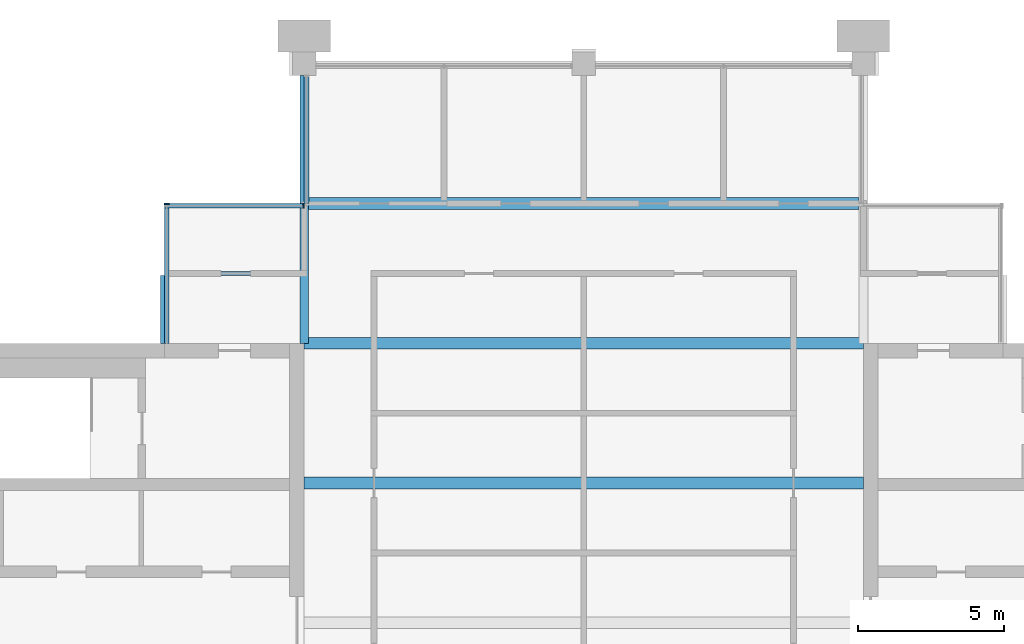
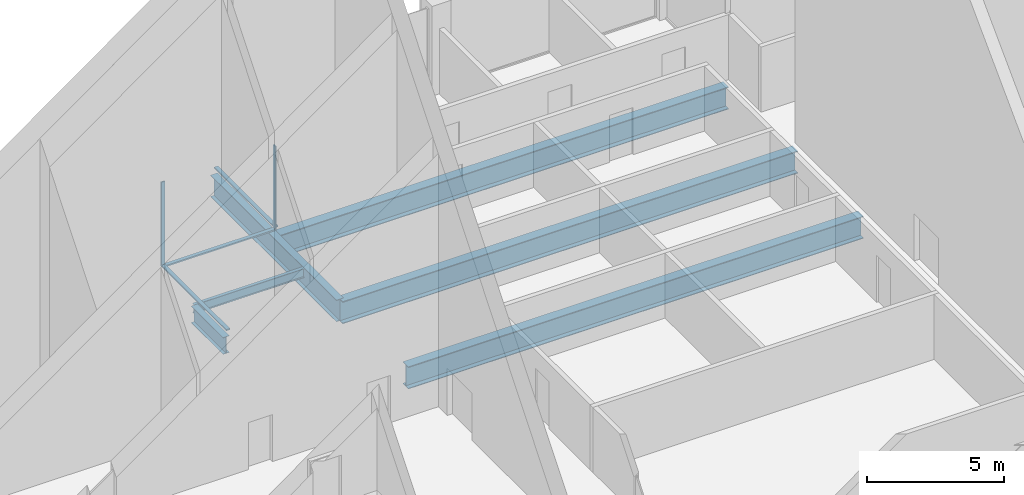
# One storey, part 5 of 12: 6 beams, 5 members, 3 elements without a shape of their own.
"""IFC4 building model written with IfcOpenShell, lengths in metres."""

from ifc_helpers import new_model, si_unit, direction, frame, origin, origin_2d, place, context, subcontext, project, spatial, rectangle, i_section, extrude, material, material_profile, profile_set, type_object, element, aggregate, save


model = new_model("IFC4")

# Units and contexts
model_context = context("Model", 3, precision=1e-05, world=origin(), true_north=direction((0.0, 1.0)))
body_context = subcontext(model_context, "Body", "Model", "MODEL_VIEW")
ifc_project = project(units=[si_unit("LENGTHUNIT", "METRE"), si_unit("AREAUNIT", "SQUARE_METRE"), si_unit("VOLUMEUNIT", "CUBIC_METRE"), si_unit("PLANEANGLEUNIT", "RADIAN"), si_unit("MASSUNIT", "GRAM", prefix="KILO")], contexts=[model_context])

# Site, building, storey
site_placement = place(None, origin())
site = spatial("IfcSite", under=ifc_project, at=site_placement, CompositionType="ELEMENT")
building_placement = place(site_placement, origin())
building = spatial("IfcBuilding", under=site, at=building_placement, Name="Baori Bourse Tower", CompositionType="ELEMENT")
storey_placement = place(building_placement, frame((0.0, 0.0, 374.300048828125)))
storey = spatial("IfcBuildingStorey", under=building, at=storey_placement, Name="L84", CompositionType="ELEMENT", Elevation=374.300048828125)

# Curtain wall, member
ifc_material_1 = material(Name="Pale anodised aluminium", Category="aluminium")
curtain_wall_type = type_object("IfcCurtainWallType", Name="CW3 Curtain wall", PredefinedType="NOTDEFINED", material=ifc_material_1)
curtain_wall_1_placement = place(storey_placement, origin())
curtain_wall_1 = element("IfcCurtainWall", 1, at=curtain_wall_1_placement, inside=storey, type_object=curtain_wall_type, Name="Curtain wall CW3 L84 8", PredefinedType="NOTDEFINED")
ifc_material_2 = material(Name="Pale anodised aluminium", Category="aluminium")
ifc_material_profile_1 = material_profile(ifc_material_2, rectangle(XDim=0.159912109375, YDim=0.050048828125, at=origin_2d()), Name="Mullion 50x160")
ifc_profile_set_1 = profile_set([ifc_material_profile_1], Name="Pale anodised aluminium")
member_type_1 = type_object("IfcMemberType", Name="CW3 Curtain wall mullion", PredefinedType="MULLION", material=ifc_profile_set_1)
member_1_placement = place(storey_placement, frame((19.175048828125, 43.1201171875, 0.06005859375), z_axis=(0.0, 0.0, 1.0), x_axis=(0.0, -1.0, 0.0)))
member_1 = element("IfcMember", 2, at=member_1_placement, type_object=member_type_1, Name="Curtain wall CW3 mullion", PredefinedType="MULLION", context=body_context, shape_type="SweptSolid", body=[
    extrude(rectangle(XDim=0.159912109375, YDim=0.050048828125, at=origin_2d()), origin(), (0.0, 0.0, 1.0), 3.68994140625),
])

curtain_wall_2_placement = place(storey_placement, origin())
curtain_wall_2 = element("IfcCurtainWall", 3, at=curtain_wall_2_placement, inside=storey, type_object=curtain_wall_type, Name="Curtain wall CW3 L84 9", PredefinedType="NOTDEFINED")
member_2_placement = place(storey_placement, frame((14.47998046875, 43.175048828125, 0.06005859375), z_axis=(0.0, 0.0, 1.0), x_axis=(1.0, 0.0, 0.0)))
member_2 = element("IfcMember", 4, at=member_2_placement, type_object=member_type_1, Name="Curtain wall CW3 mullion", PredefinedType="MULLION", context=body_context, shape_type="SweptSolid", body=[
    extrude(rectangle(XDim=0.159912109375, YDim=0.050048828125, at=origin_2d()), origin(), (0.0, 0.0, 1.0), 3.68994140625),
])

curtain_wall_3_placement = place(storey_placement, origin())
curtain_wall_3 = element("IfcCurtainWall", 5, at=curtain_wall_3_placement, inside=storey, type_object=curtain_wall_type, Name="Curtain wall CW3 L84 7", PredefinedType="NOTDEFINED")
ifc_material_3 = material(Name="Pale anodised aluminium", Category="aluminium")
ifc_material_profile_2 = material_profile(ifc_material_3, rectangle(XDim=0.159912109375, YDim=0.06005859375, at=origin_2d()), Name="Transom 60x160")
ifc_profile_set_2 = profile_set([ifc_material_profile_2], Name="Pale anodised aluminium")
member_type_2 = type_object("IfcMemberType", Name="CW3 Curtain wall transom", PredefinedType="USERDEFINED", material=ifc_profile_set_2)
member_3_placement = place(storey_placement, frame((19.280029296875, 47.60009765625, 0.030029296875), z_axis=(0.0, -1.0, 0.0), x_axis=(1.0, 0.0, 0.0)))
member_3 = element("IfcMember", 6, at=member_3_placement, type_object=member_type_2, Name="Curtain wall CW3 sill rail", ObjectType="TRANSOM", PredefinedType="USERDEFINED", context=body_context, shape_type="SweptSolid", body=[
    extrude(rectangle(XDim=0.159912109375, YDim=0.06005859375, at=origin_2d()), origin(), (0.0, 0.0, 1.0), 4.400146484375),
])
aggregate(curtain_wall_3, [member_3])

# Member
member_4_placement = place(storey_placement, frame((19.199951171875, 43.1201171875, 0.030029296875), z_axis=(-1.0, 0.0, 0.0), x_axis=(0.0, -1.0, 0.0)))
member_4 = element("IfcMember", 7, at=member_4_placement, type_object=member_type_2, Name="Curtain wall CW3 sill rail", ObjectType="TRANSOM", PredefinedType="USERDEFINED", context=body_context, shape_type="SweptSolid", body=[
    extrude(rectangle(XDim=0.159912109375, YDim=0.06005859375, at=origin_2d()), origin(), (0.0, 0.0, 1.0), 4.800048828125),
])

aggregate(curtain_wall_1, [member_4, member_1])

member_5_placement = place(storey_placement, frame((14.47998046875, 43.199951171875, 0.030029296875), z_axis=(0.0, -1.0, 0.0), x_axis=(1.0, 0.0, 0.0)))
member_5 = element("IfcMember", 8, at=member_5_placement, type_object=member_type_2, Name="Curtain wall CW3 sill rail", ObjectType="TRANSOM", PredefinedType="USERDEFINED", context=body_context, shape_type="SweptSolid", body=[
    extrude(rectangle(XDim=0.159912109375, YDim=0.06005859375, at=origin_2d()), origin(), (0.0, 0.0, 1.0), 4.800048828125),
])

aggregate(curtain_wall_2, [member_5, member_2])

# Beams
ifc_material_4 = material(Name="Steel A992 Gr 50", Category="steel")
ifc_material_profile_3 = material_profile(ifc_material_4, i_section(OverallWidth=0.26416015625, OverallDepth=0.749267578125, WebThickness=0.011962890625, FlangeThickness=0.015380859375, at=origin_2d()), Name="W30x90")
ifc_profile_set_3 = profile_set([ifc_material_profile_3], Name="Steel A992 Gr 50")
beam_type_1 = type_object("IfcBeamType", Name="Core bracket W30x90", PredefinedType="BEAM", material=ifc_profile_set_3)
beam_1_placement = place(storey_placement, frame((14.39990234375, 38.39990234375, -0.624755859375), z_axis=(0.0, 1.0, 0.0), x_axis=(-1.0, 0.0, 0.0)))
element("IfcBeam", 9, at=beam_1_placement, inside=storey, type_object=beam_type_1, Name="Core bracket L84", PredefinedType="BEAM", context=body_context, shape_type="SweptSolid", body=[
    extrude(i_section(OverallWidth=0.26416015625, OverallDepth=0.749267578125, WebThickness=0.011962890625, FlangeThickness=0.015380859375, at=origin_2d()), origin(), (0.0, 0.0, 1.0), 2.329833984375),
])
ifc_material_5 = material(Name="Steel A992 Gr 50", Category="steel")
ifc_material_profile_4 = material_profile(ifc_material_5, i_section(OverallWidth=0.4013671875, OverallDepth=0.990478515625, WebThickness=0.0166015625, FlangeThickness=0.031005859375, at=origin_2d()), Name="W40x215")
ifc_profile_set_4 = profile_set([ifc_material_profile_4], Name="Steel A992 Gr 50")
beam_type_2 = type_object("IfcBeamType", Name="Floor beam W40x215", PredefinedType="BEAM", material=ifc_profile_set_4)
for number, where, z_axis, x_axis, name in (
    (10, (19.199951171875, 33.60009765625, -0.745361328125), (1.0, 0.0, 0.0), (0.0, 1.0, 0.0), "Floor beam L84"),
    (11, (19.199951171875, 38.39990234375, -0.745361328125), (1.0, 0.0, 0.0), (0.0, 1.0, 0.0), "Floor beam L84"),
):
    element("IfcBeam", number, at=place(storey_placement, frame(where, z_axis=z_axis, x_axis=x_axis)), inside=storey, type_object=beam_type_2, Name=name, PredefinedType="BEAM", context=body_context, shape_type="SweptSolid", body=[
        extrude(i_section(OverallWidth=0.4013671875, OverallDepth=0.990478515625, WebThickness=0.0166015625, FlangeThickness=0.031005859375, at=origin_2d()), origin(), (0.0, 0.0, 1.0), 19.199951171875),
    ])
beam_2_placement = place(storey_placement, frame((19.349853515625, 43.199951171875, -0.745361328125), z_axis=(1.0, 0.0, 0.0), x_axis=(0.0, 1.0, 0.0)))
element("IfcBeam", 12, at=beam_2_placement, inside=storey, type_object=beam_type_2, Name="Floor beam L84", PredefinedType="BEAM", context=body_context, shape_type="SweptSolid", body=[
    extrude(i_section(OverallWidth=0.4013671875, OverallDepth=0.990478515625, WebThickness=0.0166015625, FlangeThickness=0.031005859375, at=origin_2d()), origin(), (0.0, 0.0, 1.0), 18.900390625),
])
ifc_material_6 = material(Name="Steel A992 Gr 50", Category="steel")
ifc_material_profile_5 = material_profile(ifc_material_6, i_section(OverallWidth=0.2998046875, OverallDepth=0.97021484375, WebThickness=0.01611328125, FlangeThickness=0.02099609375, at=origin_2d()), Name="W40x149")
ifc_profile_set_5 = profile_set([ifc_material_profile_5], Name="Steel A992 Gr 50")
beam_type_3 = type_object("IfcBeamType", Name="Girder W40x149", PredefinedType="BEAM", material=ifc_profile_set_5)
beam_3_placement = place(storey_placement, frame((19.199951171875, 38.39990234375, -0.735107421875), z_axis=(0.0, 1.0, 0.0), x_axis=(-1.0, 0.0, 0.0)))
element("IfcBeam", 13, at=beam_3_placement, inside=storey, type_object=beam_type_3, Name="Girder L84", PredefinedType="BEAM", context=body_context, shape_type="SweptSolid", body=[
    extrude(i_section(OverallWidth=0.2998046875, OverallDepth=0.97021484375, WebThickness=0.01611328125, FlangeThickness=0.02099609375, at=origin_2d()), origin(), (0.0, 0.0, 1.0), 9.2001953125),
])
ifc_material_7 = material(Name="Steel A992 Gr 50", Category="steel")
ifc_material_profile_6 = material_profile(ifc_material_7, i_section(OverallWidth=0.140380859375, OverallDepth=0.40380859375, WebThickness=0.007080078125, FlangeThickness=0.01123046875, at=origin_2d()), Name="W16x31")
ifc_profile_set_6 = profile_set([ifc_material_profile_6], Name="Steel A992 Gr 50")
beam_type_4 = type_object("IfcBeamType", Name="Trimmer beam W16x31", PredefinedType="BEAM", material=ifc_profile_set_6)
beam_4_placement = place(storey_placement, frame((14.39990234375, 40.800048828125, -0.451904296875), z_axis=(1.0, 0.0, 0.0), x_axis=(0.0, 1.0, 0.0)))
element("IfcBeam", 14, at=beam_4_placement, inside=storey, type_object=beam_type_4, Name="Trimmer beam L84", PredefinedType="BEAM", context=body_context, shape_type="SweptSolid", body=[
    extrude(i_section(OverallWidth=0.140380859375, OverallDepth=0.40380859375, WebThickness=0.007080078125, FlangeThickness=0.01123046875, at=origin_2d()), origin(), (0.0, 0.0, 1.0), 4.650146484375),
])

save(model, "model.ifc")
